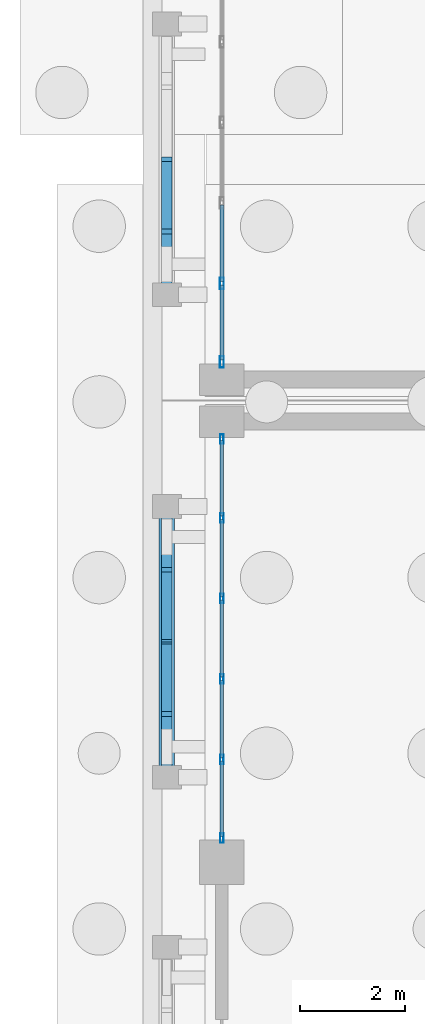
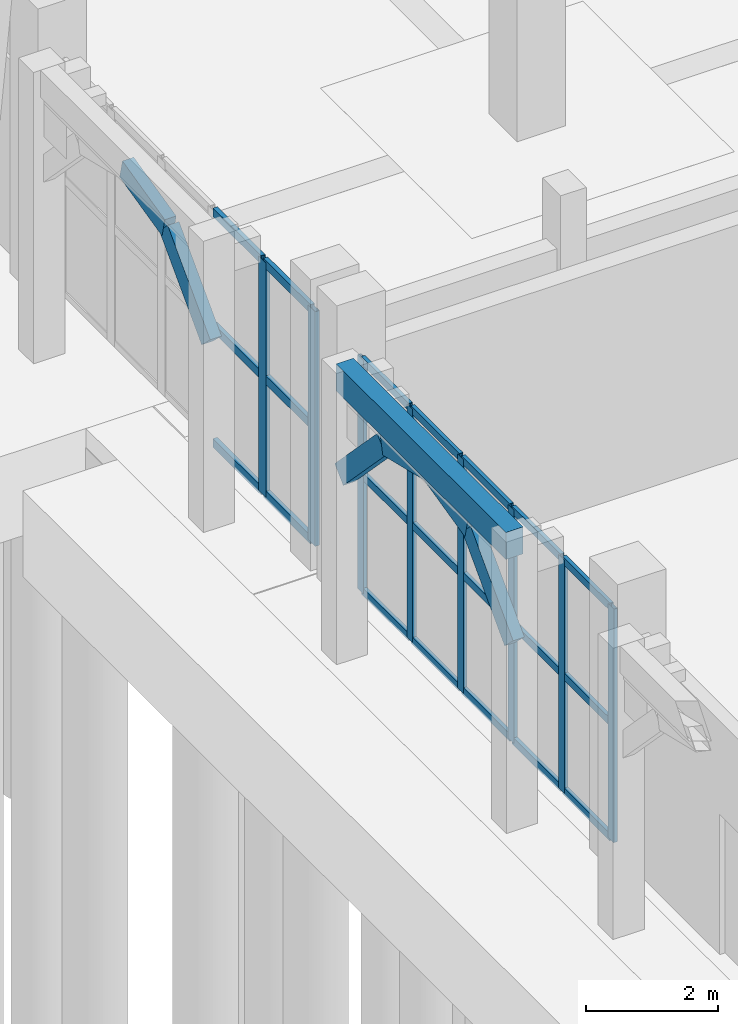
# One storey, part 19 of 98: 35 members, 1 beam, 2 elements without a shape of their own.
"""IFC4 building model written with IfcOpenShell, lengths in metres."""

from ifc_helpers import new_model, si_unit, direction, frame, origin, origin_2d, place, context, subcontext, project, spatial, rectangle, hollow_rectangle, extrude, material, layer, layer_set, material_profile, profile_set, type_object, element, aggregate, save


model = new_model("IFC4")

# Units and contexts
model_context = context("Model", 3, precision=1e-05, world=origin(), true_north=direction((0.0, 1.0)))
body_context = subcontext(model_context, "Body", "Model", "MODEL_VIEW")
ifc_project = project(units=[si_unit("LENGTHUNIT", "METRE"), si_unit("AREAUNIT", "SQUARE_METRE"), si_unit("VOLUMEUNIT", "CUBIC_METRE"), si_unit("PLANEANGLEUNIT", "RADIAN"), si_unit("MASSUNIT", "GRAM", prefix="KILO")], contexts=[model_context])

# Site, building, storey
site_placement = place(None, origin())
site = spatial("IfcSite", under=ifc_project, at=site_placement, CompositionType="ELEMENT")
building_placement = place(site_placement, origin())
building = spatial("IfcBuilding", under=site, at=building_placement, Name="Xazarin Passage Department Store", CompositionType="ELEMENT")
storey_placement = place(building_placement, origin())
storey = spatial("IfcBuildingStorey", under=building, at=storey_placement, Name="L00", CompositionType="ELEMENT", Elevation=0.0)

# Curtain wall, members
ifc_material_1 = material(Name="Bronze anodised aluminium", Category="aluminium")
ifc_layer_1 = layer(ifc_material_1, 0.18994140625)
ifc_layer_set_1 = layer_set([ifc_layer_1], Name="Bronze anodised aluminium")
curtain_wall_type_1 = type_object("IfcCurtainWallType", Name="ARC-CW-FDH1", PredefinedType="NOTDEFINED", material=ifc_layer_set_1)
curtain_wall_1_placement = place(storey_placement, origin())
curtain_wall_1 = element("IfcCurtainWall", 1, at=curtain_wall_1_placement, inside=storey, type_object=curtain_wall_type_1, Name="L00 V3 Curtain Wall 122", PredefinedType="NOTDEFINED")
ifc_material_profile_1 = material_profile(ifc_material_1, hollow_rectangle(XDim=0.06494140625, YDim=0.179931640625, WallThickness=0.00390625, at=origin_2d()), Name="ALU 65x180")
ifc_profile_set_1 = profile_set([ifc_material_profile_1], Name="Bronze anodised aluminium")
member_type_1 = type_object("IfcMemberType", Name="ARC-CWM-65x180", PredefinedType="MULLION", material=ifc_profile_set_1)
member_1_placement = place(storey_placement, frame((0.0, 42.45751953125, 0.0), z_axis=(0.0, 0.0, 1.0), x_axis=(-1.0, 0.0, 0.0)))
member_1 = element("IfcMember", 2, at=member_1_placement, type_object=member_type_1, Name="CW5 mullion 1", PredefinedType="MULLION", context=body_context, shape_type="SweptSolid", body=[
    extrude(hollow_rectangle(XDim=0.06494140625, YDim=0.179931640625, WallThickness=0.00390625, at=origin_2d()), origin(), (0.0, 0.0, 1.0), 4.330078125),
])
member_2_placement = place(storey_placement, frame((0.0, 43.9599609375, 0.0), z_axis=(0.0, 0.0, 1.0), x_axis=(-1.0, 0.0, 0.0)))
member_2 = element("IfcMember", 3, at=member_2_placement, type_object=member_type_1, Name="CW5 mullion 2", PredefinedType="MULLION", context=body_context, shape_type="SweptSolid", body=[
    extrude(hollow_rectangle(XDim=0.06494140625, YDim=0.179931640625, WallThickness=0.00390625, at=origin_2d()), origin(), (0.0, 0.0, 1.0), 4.330078125),
])
member_3_placement = place(storey_placement, frame((0.0, 45.4951171875, 0.0), z_axis=(0.0, 0.0, 1.0), x_axis=(-1.0, 0.0, 0.0)))
member_3 = element("IfcMember", 4, at=member_3_placement, type_object=member_type_1, Name="CW5 mullion 3", PredefinedType="MULLION", context=body_context, shape_type="SweptSolid", body=[
    extrude(hollow_rectangle(XDim=0.06494140625, YDim=0.179931640625, WallThickness=0.00390625, at=origin_2d()), origin(), (0.0, 0.0, 1.0), 4.330078125),
])
member_4_placement = place(storey_placement, frame((0.0, 47.030029296875, 0.0), z_axis=(0.0, 0.0, 1.0), x_axis=(-1.0, 0.0, 0.0)))
member_4 = element("IfcMember", 5, at=member_4_placement, type_object=member_type_1, Name="CW5 mullion 4", PredefinedType="MULLION", context=body_context, shape_type="SweptSolid", body=[
    extrude(hollow_rectangle(XDim=0.06494140625, YDim=0.179931640625, WallThickness=0.00390625, at=origin_2d()), origin(), (0.0, 0.0, 1.0), 4.330078125),
])
member_5_placement = place(storey_placement, frame((0.0, 48.56494140625, 0.0), z_axis=(0.0, 0.0, 1.0), x_axis=(-1.0, 0.0, 0.0)))
member_5 = element("IfcMember", 6, at=member_5_placement, type_object=member_type_1, Name="CW5 mullion 5", PredefinedType="MULLION", context=body_context, shape_type="SweptSolid", body=[
    extrude(hollow_rectangle(XDim=0.06494140625, YDim=0.179931640625, WallThickness=0.00390625, at=origin_2d()), origin(), (0.0, 0.0, 1.0), 4.330078125),
])
member_6_placement = place(storey_placement, frame((0.0, 50.0673828125, 0.0), z_axis=(0.0, 0.0, 1.0), x_axis=(-1.0, 0.0, 0.0)))
member_6 = element("IfcMember", 7, at=member_6_placement, type_object=member_type_1, Name="CW5 mullion 6", PredefinedType="MULLION", context=body_context, shape_type="SweptSolid", body=[
    extrude(hollow_rectangle(XDim=0.06494140625, YDim=0.179931640625, WallThickness=0.00390625, at=origin_2d()), origin(), (0.0, 0.0, 1.0), 4.330078125),
])

ifc_layer_2 = layer(ifc_material_1, 0.179931640625)
ifc_layer_set_2 = layer_set([ifc_layer_2], Name="Bronze anodised aluminium")
curtain_wall_type_2 = type_object("IfcCurtainWallType", Name="ARC-CW-VIT1", PredefinedType="NOTDEFINED", material=ifc_layer_set_2)
curtain_wall_2_placement = place(storey_placement, origin())
curtain_wall_2 = element("IfcCurtainWall", 8, at=curtain_wall_2_placement, inside=storey, type_object=curtain_wall_type_2, Name="L00 V1 Curtain Wall 004", PredefinedType="NOTDEFINED")
ifc_material_profile_2 = material_profile(ifc_material_1, hollow_rectangle(XDim=0.074951171875, YDim=0.219970703125, WallThickness=0.0048828125, at=origin_2d()), Name="ALU 75x220")
ifc_profile_set_2 = profile_set([ifc_material_profile_2], Name="Bronze anodised aluminium")
member_type_2 = type_object("IfcMemberType", Name="ARC-CWM-75x220", PredefinedType="MULLION", material=ifc_profile_set_2)
member_7_placement = place(storey_placement, frame((0.0, 51.53759765625, 0.0), z_axis=(0.0, 0.0, 1.0), x_axis=(-1.0, 0.0, 0.0)))
member_7 = element("IfcMember", 9, at=member_7_placement, type_object=member_type_2, Name="CW1 mullion 1", PredefinedType="MULLION", context=body_context, shape_type="SweptSolid", body=[
    extrude(hollow_rectangle(XDim=0.074951171875, YDim=0.219970703125, WallThickness=0.0048828125, at=origin_2d()), origin(), (0.0, 0.0, 1.0), 4.35009765625),
])
member_8_placement = place(storey_placement, frame((0.0, 53.034912109375, 0.0), z_axis=(0.0, 0.0, 1.0), x_axis=(-1.0, 0.0, 0.0)))
member_8 = element("IfcMember", 10, at=member_8_placement, type_object=member_type_2, Name="CW1 mullion 2", PredefinedType="MULLION", context=body_context, shape_type="SweptSolid", body=[
    extrude(hollow_rectangle(XDim=0.074951171875, YDim=0.219970703125, WallThickness=0.0048828125, at=origin_2d()), origin(), (0.0, 0.0, 1.0), 4.35009765625),
])

# Member
ifc_material_profile_3 = material_profile(ifc_material_1, hollow_rectangle(XDim=0.06494140625, YDim=0.139892578125, WallThickness=0.00390625, at=origin_2d()), Name="ALU 65x140")
ifc_profile_set_3 = profile_set([ifc_material_profile_3], Name="Bronze anodised aluminium")
member_type_3 = type_object("IfcMemberType", Name="ARC-CWT-65x140", PredefinedType="USERDEFINED", material=ifc_profile_set_3)
member_9_placement = place(storey_placement, frame((0.0, 42.489990234375, 0.032470703125), z_axis=(0.0, 1.0, 0.0), x_axis=(-1.0, 0.0, 0.0)))
member_9 = element("IfcMember", 11, at=member_9_placement, type_object=member_type_3, Name="CW5 transom 1.1", ObjectType="TRANSOM", PredefinedType="USERDEFINED", context=body_context, shape_type="SweptSolid", body=[
    extrude(hollow_rectangle(XDim=0.06494140625, YDim=0.139892578125, WallThickness=0.00390625, at=origin_2d()), origin(), (0.0, 0.0, 1.0), 1.4375),
])

member_10_placement = place(storey_placement, frame((0.0, 42.489990234375, 2.1650390625), z_axis=(0.0, 1.0, 0.0), x_axis=(-1.0, 0.0, 0.0)))
member_10 = element("IfcMember", 12, at=member_10_placement, type_object=member_type_3, Name="CW5 transom 1.2", ObjectType="TRANSOM", PredefinedType="USERDEFINED", context=body_context, shape_type="SweptSolid", body=[
    extrude(hollow_rectangle(XDim=0.06494140625, YDim=0.139892578125, WallThickness=0.00390625, at=origin_2d()), origin(), (0.0, 0.0, 1.0), 1.4375),
])

member_11_placement = place(storey_placement, frame((0.0, 42.489990234375, 4.297607421875), z_axis=(0.0, 1.0, 0.0), x_axis=(-1.0, 0.0, 0.0)))
member_11 = element("IfcMember", 13, at=member_11_placement, type_object=member_type_3, Name="CW5 transom 1.3", ObjectType="TRANSOM", PredefinedType="USERDEFINED", context=body_context, shape_type="SweptSolid", body=[
    extrude(hollow_rectangle(XDim=0.06494140625, YDim=0.139892578125, WallThickness=0.00390625, at=origin_2d()), origin(), (0.0, 0.0, 1.0), 1.4375),
])

member_12_placement = place(storey_placement, frame((0.0, 43.992431640625, 0.032470703125), z_axis=(0.0, 1.0, 0.0), x_axis=(-1.0, 0.0, 0.0)))
member_12 = element("IfcMember", 14, at=member_12_placement, type_object=member_type_3, Name="CW5 transom 2.1", ObjectType="TRANSOM", PredefinedType="USERDEFINED", context=body_context, shape_type="SweptSolid", body=[
    extrude(hollow_rectangle(XDim=0.06494140625, YDim=0.139892578125, WallThickness=0.00390625, at=origin_2d()), origin(), (0.0, 0.0, 1.0), 1.469970703125),
])

member_13_placement = place(storey_placement, frame((0.0, 43.992431640625, 2.1650390625), z_axis=(0.0, 1.0, 0.0), x_axis=(-1.0, 0.0, 0.0)))
member_13 = element("IfcMember", 15, at=member_13_placement, type_object=member_type_3, Name="CW5 transom 2.2", ObjectType="TRANSOM", PredefinedType="USERDEFINED", context=body_context, shape_type="SweptSolid", body=[
    extrude(hollow_rectangle(XDim=0.06494140625, YDim=0.139892578125, WallThickness=0.00390625, at=origin_2d()), origin(), (0.0, 0.0, 1.0), 1.469970703125),
])

member_14_placement = place(storey_placement, frame((0.0, 43.992431640625, 4.297607421875), z_axis=(0.0, 1.0, 0.0), x_axis=(-1.0, 0.0, 0.0)))
member_14 = element("IfcMember", 16, at=member_14_placement, type_object=member_type_3, Name="CW5 transom 2.3", ObjectType="TRANSOM", PredefinedType="USERDEFINED", context=body_context, shape_type="SweptSolid", body=[
    extrude(hollow_rectangle(XDim=0.06494140625, YDim=0.139892578125, WallThickness=0.00390625, at=origin_2d()), origin(), (0.0, 0.0, 1.0), 1.469970703125),
])

member_15_placement = place(storey_placement, frame((0.0, 45.527587890625, 0.032470703125), z_axis=(0.0, 1.0, 0.0), x_axis=(-1.0, 0.0, 0.0)))
member_15 = element("IfcMember", 17, at=member_15_placement, type_object=member_type_3, Name="CW5 transom 3.1", ObjectType="TRANSOM", PredefinedType="USERDEFINED", context=body_context, shape_type="SweptSolid", body=[
    extrude(hollow_rectangle(XDim=0.06494140625, YDim=0.139892578125, WallThickness=0.00390625, at=origin_2d()), origin(), (0.0, 0.0, 1.0), 1.469970703125),
])

member_16_placement = place(storey_placement, frame((0.0, 45.527587890625, 2.1650390625), z_axis=(0.0, 1.0, 0.0), x_axis=(-1.0, 0.0, 0.0)))
member_16 = element("IfcMember", 18, at=member_16_placement, type_object=member_type_3, Name="CW5 transom 3.2", ObjectType="TRANSOM", PredefinedType="USERDEFINED", context=body_context, shape_type="SweptSolid", body=[
    extrude(hollow_rectangle(XDim=0.06494140625, YDim=0.139892578125, WallThickness=0.00390625, at=origin_2d()), origin(), (0.0, 0.0, 1.0), 1.469970703125),
])

member_17_placement = place(storey_placement, frame((0.0, 45.527587890625, 4.297607421875), z_axis=(0.0, 1.0, 0.0), x_axis=(-1.0, 0.0, 0.0)))
member_17 = element("IfcMember", 19, at=member_17_placement, type_object=member_type_3, Name="CW5 transom 3.3", ObjectType="TRANSOM", PredefinedType="USERDEFINED", context=body_context, shape_type="SweptSolid", body=[
    extrude(hollow_rectangle(XDim=0.06494140625, YDim=0.139892578125, WallThickness=0.00390625, at=origin_2d()), origin(), (0.0, 0.0, 1.0), 1.469970703125),
])

member_18_placement = place(storey_placement, frame((0.0, 47.0625, 0.032470703125), z_axis=(0.0, 1.0, 0.0), x_axis=(-1.0, 0.0, 0.0)))
member_18 = element("IfcMember", 20, at=member_18_placement, type_object=member_type_3, Name="CW5 transom 4.1", ObjectType="TRANSOM", PredefinedType="USERDEFINED", context=body_context, shape_type="SweptSolid", body=[
    extrude(hollow_rectangle(XDim=0.06494140625, YDim=0.139892578125, WallThickness=0.00390625, at=origin_2d()), origin(), (0.0, 0.0, 1.0), 1.469970703125),
])

member_19_placement = place(storey_placement, frame((0.0, 47.0625, 2.1650390625), z_axis=(0.0, 1.0, 0.0), x_axis=(-1.0, 0.0, 0.0)))
member_19 = element("IfcMember", 21, at=member_19_placement, type_object=member_type_3, Name="CW5 transom 4.2", ObjectType="TRANSOM", PredefinedType="USERDEFINED", context=body_context, shape_type="SweptSolid", body=[
    extrude(hollow_rectangle(XDim=0.06494140625, YDim=0.139892578125, WallThickness=0.00390625, at=origin_2d()), origin(), (0.0, 0.0, 1.0), 1.469970703125),
])

member_20_placement = place(storey_placement, frame((0.0, 47.0625, 4.297607421875), z_axis=(0.0, 1.0, 0.0), x_axis=(-1.0, 0.0, 0.0)))
member_20 = element("IfcMember", 22, at=member_20_placement, type_object=member_type_3, Name="CW5 transom 4.3", ObjectType="TRANSOM", PredefinedType="USERDEFINED", context=body_context, shape_type="SweptSolid", body=[
    extrude(hollow_rectangle(XDim=0.06494140625, YDim=0.139892578125, WallThickness=0.00390625, at=origin_2d()), origin(), (0.0, 0.0, 1.0), 1.469970703125),
])

member_21_placement = place(storey_placement, frame((0.0, 48.597412109375, 0.032470703125), z_axis=(0.0, 1.0, 0.0), x_axis=(-1.0, 0.0, 0.0)))
member_21 = element("IfcMember", 23, at=member_21_placement, type_object=member_type_3, Name="CW5 transom 5.1", ObjectType="TRANSOM", PredefinedType="USERDEFINED", context=body_context, shape_type="SweptSolid", body=[
    extrude(hollow_rectangle(XDim=0.06494140625, YDim=0.139892578125, WallThickness=0.00390625, at=origin_2d()), origin(), (0.0, 0.0, 1.0), 1.4375),
])

member_22_placement = place(storey_placement, frame((0.0, 48.597412109375, 2.1650390625), z_axis=(0.0, 1.0, 0.0), x_axis=(-1.0, 0.0, 0.0)))
member_22 = element("IfcMember", 24, at=member_22_placement, type_object=member_type_3, Name="CW5 transom 5.2", ObjectType="TRANSOM", PredefinedType="USERDEFINED", context=body_context, shape_type="SweptSolid", body=[
    extrude(hollow_rectangle(XDim=0.06494140625, YDim=0.139892578125, WallThickness=0.00390625, at=origin_2d()), origin(), (0.0, 0.0, 1.0), 1.4375),
])

member_23_placement = place(storey_placement, frame((0.0, 48.597412109375, 4.297607421875), z_axis=(0.0, 1.0, 0.0), x_axis=(-1.0, 0.0, 0.0)))
member_23 = element("IfcMember", 25, at=member_23_placement, type_object=member_type_3, Name="CW5 transom 5.3", ObjectType="TRANSOM", PredefinedType="USERDEFINED", context=body_context, shape_type="SweptSolid", body=[
    extrude(hollow_rectangle(XDim=0.06494140625, YDim=0.139892578125, WallThickness=0.00390625, at=origin_2d()), origin(), (0.0, 0.0, 1.0), 1.4375),
])

aggregate(curtain_wall_1, [member_1, member_2, member_3, member_4, member_5, member_6, member_9, member_10, member_11, member_12, member_13, member_14, member_15, member_16, member_17, member_18, member_19, member_20, member_21, member_22, member_23])

ifc_material_profile_4 = material_profile(ifc_material_1, hollow_rectangle(XDim=0.074951171875, YDim=0.159912109375, WallThickness=0.00439453125, at=origin_2d()), Name="ALU 75x160")
ifc_profile_set_4 = profile_set([ifc_material_profile_4], Name="Bronze anodised aluminium")
member_type_4 = type_object("IfcMemberType", Name="ARC-CWT-75x160", PredefinedType="USERDEFINED", material=ifc_profile_set_4)
member_24_placement = place(storey_placement, frame((0.0, 51.574951171875, 0.03759765625), z_axis=(0.0, 1.0, 0.0), x_axis=(-1.0, 0.0, 0.0)))
member_24 = element("IfcMember", 26, at=member_24_placement, type_object=member_type_4, Name="CW1 transom 1.1", ObjectType="TRANSOM", PredefinedType="USERDEFINED", context=body_context, shape_type="SweptSolid", body=[
    extrude(hollow_rectangle(XDim=0.074951171875, YDim=0.159912109375, WallThickness=0.00439453125, at=origin_2d()), origin(), (0.0, 0.0, 1.0), 1.422607421875),
])

member_25_placement = place(storey_placement, frame((0.0, 51.574951171875, 2.175048828125), z_axis=(0.0, 1.0, 0.0), x_axis=(-1.0, 0.0, 0.0)))
member_25 = element("IfcMember", 27, at=member_25_placement, type_object=member_type_4, Name="CW1 transom 1.2", ObjectType="TRANSOM", PredefinedType="USERDEFINED", context=body_context, shape_type="SweptSolid", body=[
    extrude(hollow_rectangle(XDim=0.074951171875, YDim=0.159912109375, WallThickness=0.00439453125, at=origin_2d()), origin(), (0.0, 0.0, 1.0), 1.422607421875),
])

member_26_placement = place(storey_placement, frame((0.0, 51.574951171875, 4.3125), z_axis=(0.0, 1.0, 0.0), x_axis=(-1.0, 0.0, 0.0)))
member_26 = element("IfcMember", 28, at=member_26_placement, type_object=member_type_4, Name="CW1 transom 1.3", ObjectType="TRANSOM", PredefinedType="USERDEFINED", context=body_context, shape_type="SweptSolid", body=[
    extrude(hollow_rectangle(XDim=0.074951171875, YDim=0.159912109375, WallThickness=0.00439453125, at=origin_2d()), origin(), (0.0, 0.0, 1.0), 1.422607421875),
])

member_27_placement = place(storey_placement, frame((0.0, 53.072509765625, 0.03759765625), z_axis=(0.0, 1.0, 0.0), x_axis=(-1.0, 0.0, 0.0)))
member_27 = element("IfcMember", 29, at=member_27_placement, type_object=member_type_4, Name="CW1 transom 2.1", ObjectType="TRANSOM", PredefinedType="USERDEFINED", context=body_context, shape_type="SweptSolid", body=[
    extrude(hollow_rectangle(XDim=0.074951171875, YDim=0.159912109375, WallThickness=0.00439453125, at=origin_2d()), origin(), (0.0, 0.0, 1.0), 1.4599609375),
])

member_28_placement = place(storey_placement, frame((0.0, 53.072509765625, 2.175048828125), z_axis=(0.0, 1.0, 0.0), x_axis=(-1.0, 0.0, 0.0)))
member_28 = element("IfcMember", 30, at=member_28_placement, type_object=member_type_4, Name="CW1 transom 2.2", ObjectType="TRANSOM", PredefinedType="USERDEFINED", context=body_context, shape_type="SweptSolid", body=[
    extrude(hollow_rectangle(XDim=0.074951171875, YDim=0.159912109375, WallThickness=0.00439453125, at=origin_2d()), origin(), (0.0, 0.0, 1.0), 1.4599609375),
])

member_29_placement = place(storey_placement, frame((0.0, 53.072509765625, 4.3125), z_axis=(0.0, 1.0, 0.0), x_axis=(-1.0, 0.0, 0.0)))
member_29 = element("IfcMember", 31, at=member_29_placement, type_object=member_type_4, Name="CW1 transom 2.3", ObjectType="TRANSOM", PredefinedType="USERDEFINED", context=body_context, shape_type="SweptSolid", body=[
    extrude(hollow_rectangle(XDim=0.074951171875, YDim=0.159912109375, WallThickness=0.00439453125, at=origin_2d()), origin(), (0.0, 0.0, 1.0), 1.4599609375),
])

aggregate(curtain_wall_2, [member_7, member_8, member_24, member_25, member_26, member_27, member_28, member_29])

# Beam
ifc_material_2 = material(Name="Concrete C35/45", Category="concrete")
ifc_material_profile_5 = material_profile(ifc_material_2, rectangle(XDim=0.300048828125, YDim=0.5, at=origin_2d()), Name="RC 300x500")
ifc_profile_set_5 = profile_set([ifc_material_profile_5], Name="Concrete C35/45")
beam_type = type_object("IfcBeamType", Name="STR-BM-LN300x500", PredefinedType="LINTEL", material=ifc_profile_set_5)
beam_placement = place(storey_placement, frame((-1.050048828125, 43.6201171875, 5.14990234375), z_axis=(0.0, 1.0, 0.0), x_axis=(-1.0, 0.0, 0.0)))
element("IfcBeam", 32, at=beam_placement, inside=storey, type_object=beam_type, Name="L00 V3 Colonnade Spandrel Beam 037", PredefinedType="LINTEL", context=body_context, shape_type="SweptSolid", body=[
    extrude(rectangle(XDim=0.300048828125, YDim=0.5, at=origin_2d()), origin(), (0.0, 0.0, 1.0), 5.159912109375),
])

# Members
ifc_material_3 = material(Name="Concrete C40/50", Category="concrete")
ifc_material_profile_6 = material_profile(ifc_material_3, rectangle(XDim=0.199951171875, YDim=0.360107421875, at=origin_2d()), Name="RC 200x360")
ifc_profile_set_6 = profile_set([ifc_material_profile_6], Name="Concrete C40/50")
member_type_5 = type_object("IfcMemberType", Name="STR-MEM-ARC360", PredefinedType="CHORD", material=ifc_profile_set_6)
member_30_placement = place(storey_placement, frame((-1.050048828125, 52.820068359375, 3.330078125), z_axis=(0.0, 0.693460080602, 0.720495049679), x_axis=(-1.0, 0.0, 0.0)))
element("IfcMember", 33, at=member_30_placement, inside=storey, type_object=member_type_5, Name="L00 V1 Pierced Lattice Curved Arch 008.1", PredefinedType="CHORD", context=body_context, shape_type="SweptSolid", body=[
    extrude(rectangle(XDim=0.199951171875, YDim=0.360107421875, at=origin_2d()), origin(), (0.0, 0.0, 1.0), 1.8603515625),
])
member_31_placement = place(storey_placement, frame((-1.050048828125, 54.110107421875, 4.67041015625), z_axis=(0.0, 0.972383960415, 0.233386875224), x_axis=(-1.0, 0.0, 0.0)))
element("IfcMember", 34, at=member_31_placement, inside=storey, type_object=member_type_5, Name="L00 V1 Pierced Lattice Curved Arch 008.2", PredefinedType="CHORD", context=body_context, shape_type="SweptSolid", body=[
    extrude(rectangle(XDim=0.199951171875, YDim=0.360107421875, at=origin_2d()), origin(), (0.0, 0.0, 1.0), 1.326416015625),
])
member_32_placement = place(storey_placement, frame((-1.050048828125, 43.6201171875, 3.330078125), z_axis=(0.0, 0.693391944082, 0.720560623322), x_axis=(-1.0, 0.0, 0.0)))
element("IfcMember", 35, at=member_32_placement, inside=storey, type_object=member_type_5, Name="L00 V3 Pierced Lattice Curved Arch 037.1", PredefinedType="CHORD", context=body_context, shape_type="SweptSolid", body=[
    extrude(rectangle(XDim=0.199951171875, YDim=0.360107421875, at=origin_2d()), origin(), (0.0, 0.0, 1.0), 1.860107421875),
])
for number, where, z_axis, x_axis, name in (
    (36, (-1.050048828125, 44.909912109375, 4.67041015625), (0.0, 0.972393983317, 0.233345111818), (-1.0, 0.0, 0.0), "L00 V3 Pierced Lattice Curved Arch 037.2"),
    (37, (-1.050048828125, 46.199951171875, 4.97998046875), (0.0, 0.972393983317, -0.233345111818), (-1.0, 0.0, 0.0), "L00 V3 Pierced Lattice Curved Arch 037.3"),
):
    element("IfcMember", number, at=place(storey_placement, frame(where, z_axis=z_axis, x_axis=x_axis)), inside=storey, type_object=member_type_5, Name=name, PredefinedType="CHORD", context=body_context, shape_type="SweptSolid", body=[
        extrude(rectangle(XDim=0.199951171875, YDim=0.360107421875, at=origin_2d()), origin(), (0.0, 0.0, 1.0), 1.32666015625),
    ])
member_33_placement = place(storey_placement, frame((-1.050048828125, 47.489990234375, 4.67041015625), z_axis=(0.0, 0.693460080602, -0.720495049679), x_axis=(-1.0, 0.0, 0.0)))
element("IfcMember", 38, at=member_33_placement, inside=storey, type_object=member_type_5, Name="L00 V3 Pierced Lattice Curved Arch 037.4", PredefinedType="CHORD", context=body_context, shape_type="SweptSolid", body=[
    extrude(rectangle(XDim=0.199951171875, YDim=0.360107421875, at=origin_2d()), origin(), (0.0, 0.0, 1.0), 1.8603515625),
])

save(model, "model.ifc")
